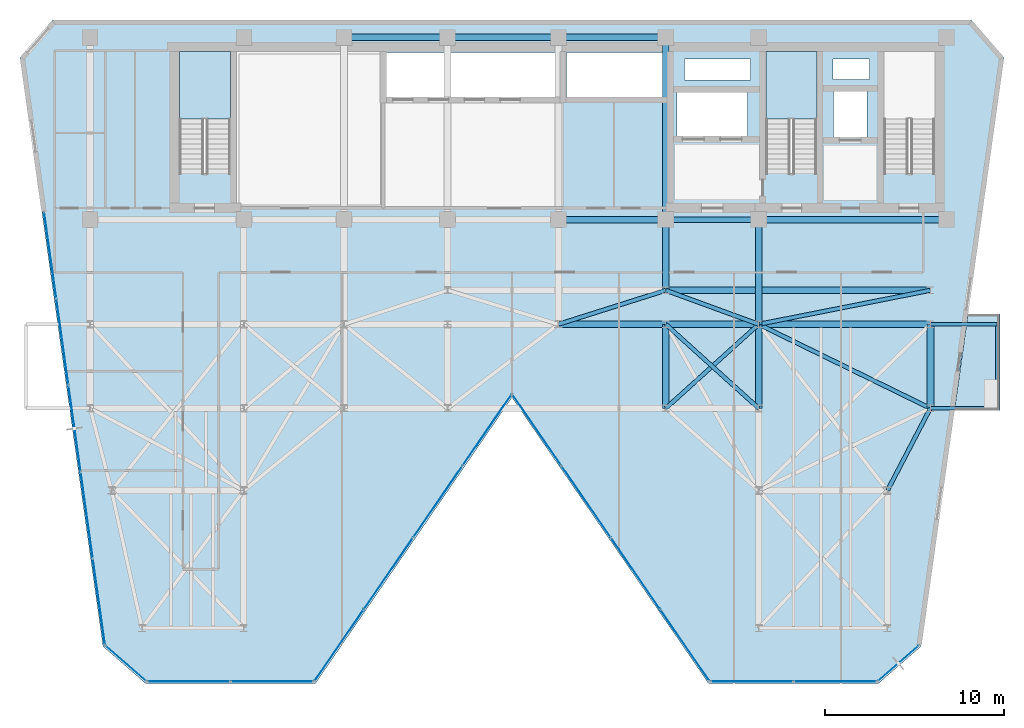
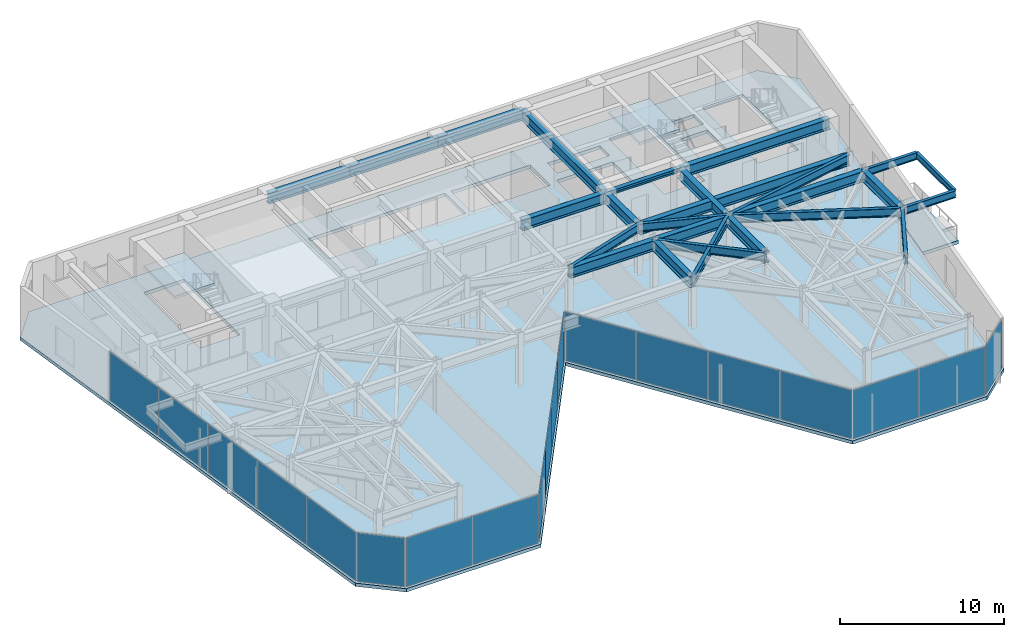
# One storey, part 21 of 26: 26 beams, 19 plates, 4 slabs, 9 elements without a shape of their own.
"""IFC4 building model written with IfcOpenShell, lengths in metres."""

from ifc_helpers import new_model, si_unit, direction, frame, origin, origin_2d, place, context, subcontext, project, spatial, polyline, rectangle, i_section, outline, extrude, material, layer, layer_set, material_profile, profile_set, type_object, element, aggregate, save


model = new_model("IFC4")

# Units and contexts
model_context = context("Model", 3, precision=1e-05, world=origin(), true_north=direction((0.0, 1.0)))
body_context = subcontext(model_context, "Body", "Model", "MODEL_VIEW")
ifc_project = project(units=[si_unit("LENGTHUNIT", "METRE"), si_unit("AREAUNIT", "SQUARE_METRE"), si_unit("VOLUMEUNIT", "CUBIC_METRE"), si_unit("PLANEANGLEUNIT", "RADIAN"), si_unit("MASSUNIT", "GRAM", prefix="KILO")], contexts=[model_context])

# Site, building, storey
site_placement = place(None, origin())
site = spatial("IfcSite", under=ifc_project, at=site_placement, CompositionType="ELEMENT")
building_placement = place(site_placement, origin())
building = spatial("IfcBuilding", under=site, at=building_placement, Name="Kravanh Interchange Tower", CompositionType="ELEMENT")
storey_placement = place(building_placement, frame((0.0, 0.0, 212.5)))
storey = spatial("IfcBuildingStorey", under=building, at=storey_placement, Name="L51", CompositionType="ELEMENT", Elevation=212.5)

# Beams
ifc_material_1 = material(Name="Structural Steel S355", Category="steel")
ifc_material_profile_1 = material_profile(ifc_material_1, i_section(OverallWidth=0.381103515625, OverallDepth=0.77294921875, WebThickness=0.0166015625, FlangeThickness=0.027099609375, FilletRadius=0.02490234375, at=origin_2d()), Name="W30X173")
ifc_profile_set_1 = profile_set([ifc_material_profile_1], Name="Structural Steel S355")
beam_type_1 = type_object("IfcBeamType", Name="Floor Beam W30X173 Structural Steel S355", PredefinedType="BEAM", material=ifc_profile_set_1)
beam_1_placement = place(storey_placement, frame((66.5, 37.35009765625, 3.368408203125), z_axis=(-1.0, 0.0, 0.0), x_axis=(0.0, -1.0, 0.0)))
element("IfcBeam", 1, at=beam_1_placement, inside=storey, type_object=beam_type_1, Name="L51 Primary Floor Girder 5", PredefinedType="BEAM", context=body_context, shape_type="SweptSolid", body=[
    extrude(i_section(OverallWidth=0.381103515625, OverallDepth=0.77294921875, WebThickness=0.0166015625, FlangeThickness=0.027099609375, FilletRadius=0.02490234375, at=origin_2d()), origin(), (0.0, 0.0, 1.0), 10.5),
])
beam_2_placement = place(storey_placement, frame((56.0, 37.35009765625, 3.368408203125), z_axis=(0.0, -1.0, 0.0), x_axis=(1.0, 0.0, 0.0)))
element("IfcBeam", 2, at=beam_2_placement, inside=storey, type_object=beam_type_1, Name="L51 Primary Floor Girder 7", PredefinedType="BEAM", context=body_context, shape_type="SweptSolid", body=[
    extrude(i_section(OverallWidth=0.381103515625, OverallDepth=0.77294921875, WebThickness=0.0166015625, FlangeThickness=0.027099609375, FilletRadius=0.02490234375, at=origin_2d()), origin(), (0.0, 0.0, 1.0), 5.85009765625),
])
beam_3_placement = place(storey_placement, frame((50.800048828125, 47.550048828125, 3.368408203125), z_axis=(-1.0, 0.0, 0.0), x_axis=(0.0, -1.0, 0.0)))
element("IfcBeam", 3, at=beam_3_placement, inside=storey, type_object=beam_type_1, Name="L51 Primary Floor Girder 8", PredefinedType="BEAM", context=body_context, shape_type="SweptSolid", body=[
    extrude(i_section(OverallWidth=0.381103515625, OverallDepth=0.77294921875, WebThickness=0.0166015625, FlangeThickness=0.027099609375, FilletRadius=0.02490234375, at=origin_2d()), origin(), (0.0, 0.0, 1.0), 6.0),
])
beam_4_placement = place(storey_placement, frame((50.800048828125, 47.550048828125, 3.368408203125), z_axis=(0.0, -1.0, 0.0), x_axis=(1.0, 0.0, 0.0)))
element("IfcBeam", 4, at=beam_4_placement, inside=storey, type_object=beam_type_1, Name="L51 Primary Floor Girder 9", PredefinedType="BEAM", context=body_context, shape_type="SweptSolid", body=[
    extrude(i_section(OverallWidth=0.381103515625, OverallDepth=0.77294921875, WebThickness=0.0166015625, FlangeThickness=0.027099609375, FilletRadius=0.02490234375, at=origin_2d()), origin(), (0.0, 0.0, 1.0), 10.199951171875),
])
beam_5_placement = place(storey_placement, frame((50.800048828125, 37.35009765625, 3.368408203125), z_axis=(0.0, -1.0, 0.0), x_axis=(1.0, 0.0, 0.0)))
element("IfcBeam", 5, at=beam_5_placement, inside=storey, type_object=beam_type_1, Name="L51 Primary Floor Girder 10", PredefinedType="BEAM", context=body_context, shape_type="SweptSolid", body=[
    extrude(i_section(OverallWidth=0.381103515625, OverallDepth=0.77294921875, WebThickness=0.0166015625, FlangeThickness=0.027099609375, FilletRadius=0.02490234375, at=origin_2d()), origin(), (0.0, 0.0, 1.0), 3.9501953125),
])
beam_6_placement = place(storey_placement, frame((50.800048828125, 37.35009765625, 3.368408203125), z_axis=(-1.0, 0.0, 0.0), x_axis=(0.0, -1.0, 0.0)))
element("IfcBeam", 6, at=beam_6_placement, inside=storey, type_object=beam_type_1, Name="L51 Primary Floor Girder 11", PredefinedType="BEAM", context=body_context, shape_type="SweptSolid", body=[
    extrude(i_section(OverallWidth=0.381103515625, OverallDepth=0.77294921875, WebThickness=0.0166015625, FlangeThickness=0.027099609375, FilletRadius=0.02490234375, at=origin_2d()), origin(), (0.0, 0.0, 1.0), 6.0),
])
beam_7_placement = place(storey_placement, frame((44.800048828125, 47.550048828125, 3.368408203125), z_axis=(-1.0, 0.0, 0.0), x_axis=(0.0, -1.0, 0.0)))
element("IfcBeam", 7, at=beam_7_placement, inside=storey, type_object=beam_type_1, Name="L51 Primary Floor Girder 15", PredefinedType="BEAM", context=body_context, shape_type="SweptSolid", body=[
    extrude(i_section(OverallWidth=0.381103515625, OverallDepth=0.77294921875, WebThickness=0.0166015625, FlangeThickness=0.027099609375, FilletRadius=0.02490234375, at=origin_2d()), origin(), (0.0, 0.0, 1.0), 6.199951171875),
])
beam_8_placement = place(storey_placement, frame((38.60009765625, 47.550048828125, 3.368408203125), z_axis=(-1.0, 0.0, 0.0), x_axis=(0.0, -1.0, 0.0)))
element("IfcBeam", 8, at=beam_8_placement, inside=storey, type_object=beam_type_1, Name="L51 Primary Floor Girder 19", PredefinedType="BEAM", context=body_context, shape_type="SweptSolid", body=[
    extrude(i_section(OverallWidth=0.381103515625, OverallDepth=0.77294921875, WebThickness=0.0166015625, FlangeThickness=0.027099609375, FilletRadius=0.02490234375, at=origin_2d()), origin(), (0.0, 0.0, 1.0), 5.800048828125),
])
for number, where, z_axis, x_axis, name in (
    (9, (50.800048828125, 26.800048828125, 3.368408203125), (0.0, 1.0, 0.0), (-1.0, 0.0, 0.0), "L51 Primary Floor Girder 49"),
    (10, (56.0, 26.800048828125, 3.368408203125), (0.0, 1.0, 0.0), (-1.0, 0.0, 0.0), "L51 Primary Floor Girder 54"),
    (11, (65.60009765625, 26.800048828125, 3.368408203125), (0.0, 1.0, 0.0), (-1.0, 0.0, 0.0), "L51 Primary Floor Girder 57"),
):
    element("IfcBeam", number, at=place(storey_placement, frame(where, z_axis=z_axis, x_axis=x_axis)), inside=storey, type_object=beam_type_1, Name=name, PredefinedType="BEAM", context=body_context, shape_type="SweptSolid", body=[
        extrude(i_section(OverallWidth=0.381103515625, OverallDepth=0.77294921875, WebThickness=0.0166015625, FlangeThickness=0.027099609375, FilletRadius=0.02490234375, at=origin_2d()), origin(), (0.0, 0.0, 1.0), 4.699951171875),
    ])
beam_9_placement = place(storey_placement, frame((44.800048828125, 31.5, 3.368408203125), z_axis=(1.0, 0.0, 0.0), x_axis=(0.0, 1.0, 0.0)))
element("IfcBeam", 12, at=beam_9_placement, inside=storey, type_object=beam_type_1, Name="L51 Primary Floor Girder 74", PredefinedType="BEAM", context=body_context, shape_type="SweptSolid", body=[
    extrude(i_section(OverallWidth=0.381103515625, OverallDepth=0.77294921875, WebThickness=0.0166015625, FlangeThickness=0.027099609375, FilletRadius=0.02490234375, at=origin_2d()), origin(), (0.0, 0.0, 1.0), 6.0),
])
beam_10_placement = place(storey_placement, frame((50.800048828125, 31.5, 3.368408203125), z_axis=(1.0, 0.0, 0.0), x_axis=(0.0, 1.0, 0.0)))
element("IfcBeam", 13, at=beam_10_placement, inside=storey, type_object=beam_type_1, Name="L51 Primary Floor Girder 77", PredefinedType="BEAM", context=body_context, shape_type="SweptSolid", body=[
    extrude(i_section(OverallWidth=0.381103515625, OverallDepth=0.77294921875, WebThickness=0.0166015625, FlangeThickness=0.027099609375, FilletRadius=0.02490234375, at=origin_2d()), origin(), (0.0, 0.0, 1.0), 5.199951171875),
])
beam_11_placement = place(storey_placement, frame((56.0, 31.5, 3.368408203125), z_axis=(1.0, 0.0, 0.0), x_axis=(0.0, 1.0, 0.0)))
element("IfcBeam", 14, at=beam_11_placement, inside=storey, type_object=beam_type_1, Name="L51 Primary Floor Girder 81", PredefinedType="BEAM", context=body_context, shape_type="SweptSolid", body=[
    extrude(i_section(OverallWidth=0.381103515625, OverallDepth=0.77294921875, WebThickness=0.0166015625, FlangeThickness=0.027099609375, FilletRadius=0.02490234375, at=origin_2d()), origin(), (0.0, 0.0, 1.0), 9.60009765625),
])
beam_12_placement = place(storey_placement, frame((50.800048828125, 33.39990234375, 3.368408203125), z_axis=(1.0, 0.0, 0.0), x_axis=(0.0, 1.0, 0.0)))
element("IfcBeam", 15, at=beam_12_placement, inside=storey, type_object=beam_type_1, Name="L51 Primary Floor Girder 95", PredefinedType="BEAM", context=body_context, shape_type="SweptSolid", body=[
    extrude(i_section(OverallWidth=0.381103515625, OverallDepth=0.77294921875, WebThickness=0.0166015625, FlangeThickness=0.027099609375, FilletRadius=0.02490234375, at=origin_2d()), origin(), (0.0, 0.0, 1.0), 14.800048828125),
])
ifc_material_2 = material(Name="Structural Steel S355", Category="steel")
ifc_material_profile_2 = material_profile(ifc_material_2, i_section(OverallWidth=0.18994140625, OverallDepth=0.45703125, WebThickness=0.009033203125, FlangeThickness=0.014404296875, FilletRadius=0.01806640625, at=origin_2d()), Name="W18X50")
ifc_profile_set_2 = profile_set([ifc_material_profile_2], Name="Structural Steel S355")
beam_type_2 = type_object("IfcBeamType", Name="Floor Joist W18X50 Structural Steel S355", PredefinedType="JOIST", material=ifc_profile_set_2)
beam_13_placement = place(storey_placement, frame((69.330078125, 26.800048828125, 3.526611328125), z_axis=(0.0, 1.0, 0.0), x_axis=(-1.0, 0.0, 0.0)))
element("IfcBeam", 16, at=beam_13_placement, inside=storey, type_object=beam_type_2, Name="L51 Balcony Edge Tie Beam E", PredefinedType="JOIST", context=body_context, shape_type="SweptSolid", body=[
    extrude(i_section(OverallWidth=0.18994140625, OverallDepth=0.45703125, WebThickness=0.009033203125, FlangeThickness=0.014404296875, FilletRadius=0.01806640625, at=origin_2d()), origin(), (0.0, 0.0, 1.0), 4.699951171875),
])
ifc_material_3 = material(Name="Structural Steel S355", Category="steel")
ifc_material_profile_3 = material_profile(ifc_material_3, i_section(OverallWidth=0.304931640625, OverallDepth=0.306884765625, WebThickness=0.010009765625, FlangeThickness=0.015380859375, FilletRadius=0.014892578125, at=origin_2d()), Name="W12X65")
ifc_profile_set_3 = profile_set([ifc_material_profile_3], Name="Structural Steel S355")
beam_type_3 = type_object("IfcBeamType", Name="Floor Lintel W12X65 Structural Steel S355", PredefinedType="LINTEL", material=ifc_profile_set_3)
beam_14_placement = place(storey_placement, frame((50.800048828125, 37.35009765625, 3.6015625), z_axis=(1.0, 0.0, 0.0), x_axis=(0.0, 1.0, 0.0)))
element("IfcBeam", 17, at=beam_14_placement, inside=storey, type_object=beam_type_3, Name="L51 Core Coupling Lintel 1", PredefinedType="LINTEL", context=body_context, shape_type="SweptSolid", body=[
    extrude(i_section(OverallWidth=0.304931640625, OverallDepth=0.306884765625, WebThickness=0.010009765625, FlangeThickness=0.015380859375, FilletRadius=0.014892578125, at=origin_2d()), origin(), (0.0, 0.0, 1.0), 5.199951171875),
])
ifc_material_4 = material(Name="Structural Steel S355", Category="steel")
ifc_material_profile_4 = material_profile(ifc_material_4, i_section(OverallWidth=0.2099609375, OverallDepth=0.537109375, WebThickness=0.010986328125, FlangeThickness=0.017333984375, FilletRadius=0.02001953125, at=origin_2d()), Name="W21X68")
ifc_profile_set_4 = profile_set([ifc_material_profile_4], Name="Structural Steel S355")
beam_type_4 = type_object("IfcBeamType", Name="Floor Spandrel W21X68 Structural Steel S355", PredefinedType="SPANDREL", material=ifc_profile_set_4)
for number, where, z_axis, x_axis, name in (
    (18, (65.60009765625, 26.800048828125, 3.486572265625), (1.0, 0.0, 0.0), (0.0, 1.0, 0.0), "L51 Balcony Cantilever Outrigger E1"),
    (19, (65.60009765625, 31.5, 3.486572265625), (1.0, 0.0, 0.0), (0.0, 1.0, 0.0), "L51 Balcony Cantilever Outrigger E2"),
):
    element("IfcBeam", number, at=place(storey_placement, frame(where, z_axis=z_axis, x_axis=x_axis)), inside=storey, type_object=beam_type_4, Name=name, PredefinedType="SPANDREL", context=body_context, shape_type="SweptSolid", body=[
        extrude(i_section(OverallWidth=0.2099609375, OverallDepth=0.537109375, WebThickness=0.010986328125, FlangeThickness=0.017333984375, FilletRadius=0.02001953125, at=origin_2d()), origin(), (0.0, 0.0, 1.0), 3.72998046875),
    ])
ifc_material_5 = material(Name="Structural Steel S355", Category="steel")
ifc_material_profile_5 = material_profile(ifc_material_5, i_section(OverallWidth=0.22802734375, OverallDepth=0.60791015625, WebThickness=0.01123046875, FlangeThickness=0.017333984375, FilletRadius=0.02197265625, at=origin_2d()), Name="W24X76")
ifc_profile_set_5 = profile_set([ifc_material_profile_5], Name="Structural Steel S355")
beam_type_5 = type_object("IfcBeamType", Name="Floor Spandrel W24X76 Structural Steel S355", PredefinedType="SPANDREL", material=ifc_profile_set_5)
for number, where, z_axis, x_axis, name in (
    (20, (50.800048828125, 26.800048828125, 3.450927734375), (0.741874009795, 0.670539300557, 0.0), (-0.670539300557, 0.741874009795, 0.0), "L51 Perimeter Spandrel 52"),
    (21, (56.0, 26.800048828125, 3.450927734375), (-0.741874009795, 0.670539300557, 0.0), (-0.670539300557, -0.741874009795, 0.0), "L51 Perimeter Spandrel 55"),
):
    element("IfcBeam", number, at=place(storey_placement, frame(where, z_axis=z_axis, x_axis=x_axis)), inside=storey, type_object=beam_type_5, Name=name, PredefinedType="SPANDREL", context=body_context, shape_type="SweptSolid", body=[
        extrude(i_section(OverallWidth=0.22802734375, OverallDepth=0.60791015625, WebThickness=0.01123046875, FlangeThickness=0.017333984375, FilletRadius=0.02197265625, at=origin_2d()), origin(), (0.0, 0.0, 1.0), 7.00927734375),
    ])
beam_15_placement = place(storey_placement, frame((65.60009765625, 26.800048828125, 3.450927734375), z_axis=(-0.462580479178, -0.886577295155, 0.0), x_axis=(0.886577295155, -0.462580479178, 0.0)))
element("IfcBeam", 22, at=beam_15_placement, inside=storey, type_object=beam_type_5, Name="L51 Perimeter Spandrel 58", PredefinedType="SPANDREL", context=body_context, shape_type="SweptSolid", body=[
    extrude(i_section(OverallWidth=0.22802734375, OverallDepth=0.60791015625, WebThickness=0.01123046875, FlangeThickness=0.017333984375, FilletRadius=0.02197265625, at=origin_2d()), origin(), (0.0, 0.0, 1.0), 5.188720703125),
])
beam_16_placement = place(storey_placement, frame((65.60009765625, 26.800048828125, 3.450927734375), z_axis=(-0.898141688387, 0.439706160499, 0.0), x_axis=(-0.439706160499, -0.898141688387, 0.0)))
element("IfcBeam", 23, at=beam_16_placement, inside=storey, type_object=beam_type_5, Name="L51 Perimeter Spandrel 60", PredefinedType="SPANDREL", context=body_context, shape_type="SweptSolid", body=[
    extrude(i_section(OverallWidth=0.22802734375, OverallDepth=0.60791015625, WebThickness=0.01123046875, FlangeThickness=0.017333984375, FilletRadius=0.02197265625, at=origin_2d()), origin(), (0.0, 0.0, 1.0), 10.68896484375),
])
beam_17_placement = place(storey_placement, frame((44.800048828125, 31.5, 3.450927734375), z_axis=(0.953346691051, 0.301877602122, 0.0), x_axis=(-0.301877602122, 0.953346691051, 0.0)))
element("IfcBeam", 24, at=beam_17_placement, inside=storey, type_object=beam_type_5, Name="L51 Perimeter Spandrel 75", PredefinedType="SPANDREL", context=body_context, shape_type="SweptSolid", body=[
    extrude(i_section(OverallWidth=0.22802734375, OverallDepth=0.60791015625, WebThickness=0.01123046875, FlangeThickness=0.017333984375, FilletRadius=0.02197265625, at=origin_2d()), origin(), (0.0, 0.0, 1.0), 6.293701171875),
])
beam_18_placement = place(storey_placement, frame((56.0, 31.5, 3.450927734375), z_axis=(-0.93926957103, 0.343180233896, 0.0), x_axis=(-0.343180233896, -0.93926957103, 0.0)))
element("IfcBeam", 25, at=beam_18_placement, inside=storey, type_object=beam_type_5, Name="L51 Perimeter Spandrel 80", PredefinedType="SPANDREL", context=body_context, shape_type="SweptSolid", body=[
    extrude(i_section(OverallWidth=0.22802734375, OverallDepth=0.60791015625, WebThickness=0.01123046875, FlangeThickness=0.017333984375, FilletRadius=0.02197265625, at=origin_2d()), origin(), (0.0, 0.0, 1.0), 5.5361328125),
])
beam_19_placement = place(storey_placement, frame((56.0, 31.5, 3.450927734375), z_axis=(0.980974000807, 0.194139150457, 0.0), x_axis=(-0.194139150457, 0.980974000807, 0.0)))
element("IfcBeam", 26, at=beam_19_placement, inside=storey, type_object=beam_type_5, Name="L51 Perimeter Spandrel 82", PredefinedType="SPANDREL", context=body_context, shape_type="SweptSolid", body=[
    extrude(i_section(OverallWidth=0.22802734375, OverallDepth=0.60791015625, WebThickness=0.01123046875, FlangeThickness=0.017333984375, FilletRadius=0.02197265625, at=origin_2d()), origin(), (0.0, 0.0, 1.0), 9.786376953125),
])

# Slab
ifc_material_6 = material(Name="Concrete C50/60", Category="concrete")
ifc_layer_1 = layer(ifc_material_6, 0.2451171875)
ifc_layer_set_1 = layer_set([ifc_layer_1], Name="Composite Floor Slab Concrete C50/60 245mm")
slab_type_1 = type_object("IfcSlabType", Name="Composite Floor Slab Concrete C50/60 245mm", PredefinedType="FLOOR", material=ifc_layer_set_1)
slab_1_placement = place(storey_placement, frame((0.0, 0.0, -0.2451171875)))
element("IfcSlab", 27, at=slab_1_placement, inside=storey, type_object=slab_type_1, Name="L51 Structural Floor Slab", PredefinedType="FLOOR", context=body_context, shape_type="SweptSolid", body=[
    extrude(outline(polyline([(19.32177734375, 13.4794921875), (21.714111328125, 11.39990234375), (31.199951171875, 11.39990234375), (42.199951171875, 27.39990234375), (53.199951171875, 11.39990234375), (62.685791015625, 11.39990234375), (65.078125, 13.4794921875), (69.707763671875, 46.42041015625), (67.89990234375, 48.5), (16.5, 48.5), (14.6923828125, 46.42041015625), (19.32177734375, 13.4794921875)]), holes=[polyline([(65.85009765625, 39.925048828125), (65.85009765625, 46.75), (63.0, 46.75), (63.0, 39.925048828125), (65.85009765625, 39.925048828125)]), polyline([(59.25, 39.925048828125), (59.25, 46.75), (56.39990234375, 46.75), (56.39990234375, 39.925048828125), (59.25, 39.925048828125)]), polyline([(26.449951171875, 39.925048828125), (26.449951171875, 46.75), (23.60009765625, 46.75), (23.60009765625, 39.925048828125), (26.449951171875, 39.925048828125)]), polyline([(35.179931640625, 44.219970703125), (44.840087890625, 44.219970703125), (44.840087890625, 46.699951171875), (35.179931640625, 46.699951171875), (35.179931640625, 44.219970703125)]), polyline([(45.239990234375, 44.219970703125), (50.840087890625, 44.219970703125), (50.840087890625, 46.699951171875), (45.239990234375, 46.699951171875), (45.239990234375, 44.219970703125)]), polyline([(51.419921875, 42.02001953125), (55.3798828125, 42.02001953125), (55.3798828125, 44.47998046875), (51.419921875, 44.47998046875), (51.419921875, 42.02001953125)]), polyline([(60.179931640625, 41.97998046875), (62.06005859375, 41.97998046875), (62.06005859375, 44.52001953125), (60.179931640625, 44.52001953125), (60.179931640625, 41.97998046875)]), polyline([(60.14990234375, 45.199951171875), (62.199951171875, 45.199951171875), (62.199951171875, 46.35009765625), (60.14990234375, 46.35009765625), (60.14990234375, 45.199951171875)]), polyline([(51.85009765625, 45.14990234375), (55.550048828125, 45.14990234375), (55.550048828125, 46.35009765625), (51.85009765625, 46.35009765625), (51.85009765625, 45.14990234375)])]), origin(), (0.0, 0.0, 1.0), 0.2451171875),
])

# Stair, slab
ifc_material_7 = material(Name="Concrete C50/60", Category="concrete")
stair_type = type_object("IfcStairType", Name="Core Fire Exit Dogleg Stair Concrete C50/60", PredefinedType="HALF_TURN_STAIR", material=ifc_material_7)
stair_1_placement = place(storey_placement, origin())
stair_1 = element("IfcStair", 28, at=stair_1_placement, inside=storey, type_object=stair_type, Name="L51 Exit Stair ST2", PredefinedType="HALF_TURN_STAIR")
ifc_material_8 = material(Name="Concrete C50/60", Category="concrete")
ifc_layer_2 = layer(ifc_material_8, 0.199951171875)
ifc_layer_set_2 = layer_set([ifc_layer_2], Name="Concrete C50/60 Stair Half-Landing Slab 200mm")
slab_type_2 = type_object("IfcSlabType", Name="Concrete C50/60 Stair Half-Landing Slab 200mm", PredefinedType="LANDING", material=ifc_layer_set_2)
slab_2_placement = place(storey_placement, frame((0.0, 0.0, 1.800048828125)))
slab_2 = element("IfcSlab", 29, at=slab_2_placement, type_object=slab_type_2, Name="ST2 landing 1", PredefinedType="LANDING", context=body_context, shape_type="SweptSolid", body=[
    extrude(outline(polyline([(59.25, 42.97998046875), (59.25, 46.75), (56.39990234375, 46.75), (56.39990234375, 42.97998046875), (59.25, 42.97998046875)])), origin(), (0.0, 0.0, 1.0), 0.199951171875),
])
aggregate(stair_1, [slab_2])

stair_2_placement = place(storey_placement, origin())
stair_2 = element("IfcStair", 30, at=stair_2_placement, inside=storey, type_object=stair_type, Name="L51 Exit Stair ST3", PredefinedType="HALF_TURN_STAIR")
slab_3_placement = place(storey_placement, frame((0.0, 0.0, 1.800048828125)))
slab_3 = element("IfcSlab", 31, at=slab_3_placement, type_object=slab_type_2, Name="ST3 landing 1", PredefinedType="LANDING", context=body_context, shape_type="SweptSolid", body=[
    extrude(outline(polyline([(26.449951171875, 42.97998046875), (26.449951171875, 46.75), (23.60009765625, 46.75), (23.60009765625, 42.97998046875), (26.449951171875, 42.97998046875)])), origin(), (0.0, 0.0, 1.0), 0.199951171875),
])
aggregate(stair_2, [slab_3])

# Curtain wall, plates
ifc_material_9 = material(Name="Anodised Bronze Aluminium", Category="aluminium")
ifc_layer_3 = layer(ifc_material_9, 0.179931640625)
ifc_layer_set_3 = layer_set([ifc_layer_3], Name="Unitised Curtain Wall System CW-Z3 Upper Office")
curtain_wall_type = type_object("IfcCurtainWallType", Name="Unitised Curtain Wall System CW-Z3 Upper Office", PredefinedType="NOTDEFINED", material=ifc_layer_set_3)
curtain_wall_1_placement = place(storey_placement, origin())
curtain_wall_1 = element("IfcCurtainWall", 32, at=curtain_wall_1_placement, inside=storey, type_object=curtain_wall_type, Name="L51 Unitised Curtain Wall CW-L51-01", PredefinedType="NOTDEFINED")
ifc_material_10 = material(Name="Low-E Laminated Architectural Glass", Category="glass")
ifc_layer_4 = layer(ifc_material_10, 0.02392578125)
ifc_layer_set_4 = layer_set([ifc_layer_4], Name="High-Selectivity Double Glazing 24mm")
plate_type = type_object("IfcPlateType", Name="High-Selectivity Double Glazing 24mm", PredefinedType="CURTAIN_PANEL", material=ifc_layer_set_4)
plate_1_placement = place(storey_placement, frame((19.09130859375, 15.9814453125, 0.06005859375), z_axis=(0.0, 0.0, 1.0), x_axis=(-0.139172209446, 0.990268194035, 0.0)))
plate_1 = element("IfcPlate", 33, at=plate_1_placement, type_object=plate_type, Name="CW-Z3 panel 1.1", PredefinedType="CURTAIN_PANEL", context=body_context, shape_type="SweptSolid", body=[
    extrude(rectangle(XDim=4.8095703125, YDim=0.02392578125, at=origin_2d()), origin(), (0.0, 0.0, 1.0), 3.635009765625),
])
plate_2_placement = place(storey_placement, frame((18.41162109375, 20.818603515625, 0.06005859375), z_axis=(0.0, 0.0, 1.0), x_axis=(-0.139172209446, 0.990268194035, 0.0)))
plate_2 = element("IfcPlate", 34, at=plate_2_placement, type_object=plate_type, Name="CW-Z3 panel 2.1", PredefinedType="CURTAIN_PANEL", context=body_context, shape_type="SweptSolid", body=[
    extrude(rectangle(XDim=4.839599609375, YDim=0.02392578125, at=origin_2d()), origin(), (0.0, 0.0, 1.0), 3.635009765625),
])
plate_3_placement = place(storey_placement, frame((17.729736328125, 25.67041015625, 0.06005859375), z_axis=(0.0, 0.0, 1.0), x_axis=(-0.139172209446, 0.990268194035, 0.0)))
plate_3 = element("IfcPlate", 35, at=plate_3_placement, type_object=plate_type, Name="CW-Z3 panel 3.1", PredefinedType="CURTAIN_PANEL", context=body_context, shape_type="SweptSolid", body=[
    extrude(rectangle(XDim=4.839599609375, YDim=0.02392578125, at=origin_2d()), origin(), (0.0, 0.0, 1.0), 3.635009765625),
])
plate_4_placement = place(storey_placement, frame((17.0478515625, 30.522216796875, 0.06005859375), z_axis=(0.0, 0.0, 1.0), x_axis=(-0.139172209446, 0.990268194035, 0.0)))
plate_4 = element("IfcPlate", 36, at=plate_4_placement, type_object=plate_type, Name="CW-Z3 panel 4.1", PredefinedType="CURTAIN_PANEL", context=body_context, shape_type="SweptSolid", body=[
    extrude(rectangle(XDim=4.839599609375, YDim=0.02392578125, at=origin_2d()), origin(), (0.0, 0.0, 1.0), 3.635009765625),
])
plate_5_placement = place(storey_placement, frame((16.367919921875, 35.359130859375, 0.06005859375), z_axis=(0.0, 0.0, 1.0), x_axis=(-0.139172209446, 0.990268194035, 0.0)))
plate_5 = element("IfcPlate", 37, at=plate_5_placement, type_object=plate_type, Name="CW-Z3 panel 5.1", PredefinedType="CURTAIN_PANEL", context=body_context, shape_type="SweptSolid", body=[
    extrude(rectangle(XDim=4.8095703125, YDim=0.02392578125, at=origin_2d()), origin(), (0.0, 0.0, 1.0), 3.635009765625),
])
aggregate(curtain_wall_1, [plate_1, plate_2, plate_3, plate_4, plate_5])

# Curtain wall, plate
curtain_wall_2_placement = place(storey_placement, origin())
curtain_wall_2 = element("IfcCurtainWall", 38, at=curtain_wall_2_placement, inside=storey, type_object=curtain_wall_type, Name="L51 Unitised Curtain Wall CW-L51-02", PredefinedType="NOTDEFINED")
plate_6_placement = place(storey_placement, frame((63.80322265625, 12.5302734375, 0.06005859375), z_axis=(0.0, 0.0, 1.0), x_axis=(-0.754716645379, -0.65605090137, 0.0)))
plate_6 = element("IfcPlate", 39, at=plate_6_placement, type_object=plate_type, Name="CW-Z3 panel 1.1", PredefinedType="CURTAIN_PANEL", context=body_context, shape_type="SweptSolid", body=[
    extrude(rectangle(XDim=2.960205078125, YDim=0.02392578125, at=origin_2d()), origin(), (0.0, 0.0, 1.0), 3.635009765625),
])
aggregate(curtain_wall_2, [plate_6])

# Curtain wall, plates
curtain_wall_3_placement = place(storey_placement, origin())
curtain_wall_3 = element("IfcCurtainWall", 40, at=curtain_wall_3_placement, inside=storey, type_object=curtain_wall_type, Name="L51 Unitised Curtain Wall CW-L51-03", PredefinedType="NOTDEFINED")
plate_7_placement = place(storey_placement, frame((60.281494140625, 11.52001953125, 0.06005859375), z_axis=(0.0, 0.0, 1.0), x_axis=(-1.0, 0.0, 0.0)))
plate_7 = element("IfcPlate", 41, at=plate_7_placement, type_object=plate_type, Name="CW-Z3 panel 1.1", PredefinedType="CURTAIN_PANEL", context=body_context, shape_type="SweptSolid", body=[
    extrude(rectangle(XDim=4.598876953125, YDim=0.02392578125, at=origin_2d()), origin(), (0.0, 0.0, 1.0), 3.635009765625),
])
plate_8_placement = place(storey_placement, frame((55.62255859375, 11.52001953125, 0.06005859375), z_axis=(0.0, 0.0, 1.0), x_axis=(-1.0, 0.0, 0.0)))
plate_8 = element("IfcPlate", 42, at=plate_8_placement, type_object=plate_type, Name="CW-Z3 panel 2.1", PredefinedType="CURTAIN_PANEL", context=body_context, shape_type="SweptSolid", body=[
    extrude(rectangle(XDim=4.598876953125, YDim=0.02392578125, at=origin_2d()), origin(), (0.0, 0.0, 1.0), 3.635009765625),
])
aggregate(curtain_wall_3, [plate_7, plate_8])

curtain_wall_4_placement = place(storey_placement, origin())
curtain_wall_4 = element("IfcCurtainWall", 43, at=curtain_wall_4_placement, inside=storey, type_object=curtain_wall_type, Name="L51 Unitised Curtain Wall CW-L51-04", PredefinedType="NOTDEFINED")
plate_9_placement = place(storey_placement, frame((51.871826171875, 13.5439453125, 0.06005859375), z_axis=(0.0, 0.0, 1.0), x_axis=(-0.566528388217, 0.824042223035, 0.0)))
plate_9 = element("IfcPlate", 44, at=plate_9_placement, type_object=plate_type, Name="CW-Z3 panel 1.1", PredefinedType="CURTAIN_PANEL", context=body_context, shape_type="SweptSolid", body=[
    extrude(rectangle(XDim=4.7919921875, YDim=0.02392578125, at=origin_2d()), origin(), (0.0, 0.0, 1.0), 3.635009765625),
])
plate_10_placement = place(storey_placement, frame((49.114501953125, 17.554443359375, 0.06005859375), z_axis=(0.0, 0.0, 1.0), x_axis=(-0.566528388217, 0.824042223035, 0.0)))
plate_10 = element("IfcPlate", 45, at=plate_10_placement, type_object=plate_type, Name="CW-Z3 panel 2.1", PredefinedType="CURTAIN_PANEL", context=body_context, shape_type="SweptSolid", body=[
    extrude(rectangle(XDim=4.822021484375, YDim=0.02392578125, at=origin_2d()), origin(), (0.0, 0.0, 1.0), 3.635009765625),
])
plate_11_placement = place(storey_placement, frame((46.3486328125, 21.577392578125, 0.06005859375), z_axis=(0.0, 0.0, 1.0), x_axis=(-0.566528388217, 0.824042223035, 0.0)))
plate_11 = element("IfcPlate", 46, at=plate_11_placement, type_object=plate_type, Name="CW-Z3 panel 3.1", PredefinedType="CURTAIN_PANEL", context=body_context, shape_type="SweptSolid", body=[
    extrude(rectangle(XDim=4.822021484375, YDim=0.02392578125, at=origin_2d()), origin(), (0.0, 0.0, 1.0), 3.635009765625),
])
plate_12_placement = place(storey_placement, frame((43.59130859375, 25.587890625, 0.06005859375), z_axis=(0.0, 0.0, 1.0), x_axis=(-0.566528388217, 0.824042223035, 0.0)))
plate_12 = element("IfcPlate", 47, at=plate_12_placement, type_object=plate_type, Name="CW-Z3 panel 4.1", PredefinedType="CURTAIN_PANEL", context=body_context, shape_type="SweptSolid", body=[
    extrude(rectangle(XDim=4.7919921875, YDim=0.02392578125, at=origin_2d()), origin(), (0.0, 0.0, 1.0), 3.635009765625),
])
aggregate(curtain_wall_4, [plate_9, plate_10, plate_11, plate_12])

curtain_wall_5_placement = place(storey_placement, origin())
curtain_wall_5 = element("IfcCurtainWall", 48, at=curtain_wall_5_placement, inside=storey, type_object=curtain_wall_type, Name="L51 Unitised Curtain Wall CW-L51-05", PredefinedType="NOTDEFINED")
plate_13_placement = place(storey_placement, frame((40.80859375, 25.587890625, 0.06005859375), z_axis=(0.0, 0.0, 1.0), x_axis=(-0.566528388217, -0.824042223035, 0.0)))
plate_13 = element("IfcPlate", 49, at=plate_13_placement, type_object=plate_type, Name="CW-Z3 panel 1.1", PredefinedType="CURTAIN_PANEL", context=body_context, shape_type="SweptSolid", body=[
    extrude(rectangle(XDim=4.7919921875, YDim=0.02392578125, at=origin_2d()), origin(), (0.0, 0.0, 1.0), 3.635009765625),
])
plate_14_placement = place(storey_placement, frame((38.05126953125, 21.577392578125, 0.06005859375), z_axis=(0.0, 0.0, 1.0), x_axis=(-0.566528388217, -0.824042223035, 0.0)))
plate_14 = element("IfcPlate", 50, at=plate_14_placement, type_object=plate_type, Name="CW-Z3 panel 2.1", PredefinedType="CURTAIN_PANEL", context=body_context, shape_type="SweptSolid", body=[
    extrude(rectangle(XDim=4.822021484375, YDim=0.02392578125, at=origin_2d()), origin(), (0.0, 0.0, 1.0), 3.635009765625),
])
plate_15_placement = place(storey_placement, frame((35.28564453125, 17.554443359375, 0.06005859375), z_axis=(0.0, 0.0, 1.0), x_axis=(-0.566528388217, -0.824042223035, 0.0)))
plate_15 = element("IfcPlate", 51, at=plate_15_placement, type_object=plate_type, Name="CW-Z3 panel 3.1", PredefinedType="CURTAIN_PANEL", context=body_context, shape_type="SweptSolid", body=[
    extrude(rectangle(XDim=4.822021484375, YDim=0.02392578125, at=origin_2d()), origin(), (0.0, 0.0, 1.0), 3.635009765625),
])
plate_16_placement = place(storey_placement, frame((32.5283203125, 13.5439453125, 0.06005859375), z_axis=(0.0, 0.0, 1.0), x_axis=(-0.566528388217, -0.824042223035, 0.0)))
plate_16 = element("IfcPlate", 52, at=plate_16_placement, type_object=plate_type, Name="CW-Z3 panel 4.1", PredefinedType="CURTAIN_PANEL", context=body_context, shape_type="SweptSolid", body=[
    extrude(rectangle(XDim=4.7919921875, YDim=0.02392578125, at=origin_2d()), origin(), (0.0, 0.0, 1.0), 3.635009765625),
])
aggregate(curtain_wall_5, [plate_13, plate_14, plate_15, plate_16])

curtain_wall_6_placement = place(storey_placement, origin())
curtain_wall_6 = element("IfcCurtainWall", 53, at=curtain_wall_6_placement, inside=storey, type_object=curtain_wall_type, Name="L51 Unitised Curtain Wall CW-L51-06", PredefinedType="NOTDEFINED")
plate_17_placement = place(storey_placement, frame((28.77734375, 11.52001953125, 0.06005859375), z_axis=(0.0, 0.0, 1.0), x_axis=(-1.0, 0.0, 0.0)))
plate_17 = element("IfcPlate", 54, at=plate_17_placement, type_object=plate_type, Name="CW-Z3 panel 1.1", PredefinedType="CURTAIN_PANEL", context=body_context, shape_type="SweptSolid", body=[
    extrude(rectangle(XDim=4.598876953125, YDim=0.02392578125, at=origin_2d()), origin(), (0.0, 0.0, 1.0), 3.635009765625),
])
plate_18_placement = place(storey_placement, frame((24.118408203125, 11.52001953125, 0.06005859375), z_axis=(0.0, 0.0, 1.0), x_axis=(-1.0, 0.0, 0.0)))
plate_18 = element("IfcPlate", 55, at=plate_18_placement, type_object=plate_type, Name="CW-Z3 panel 2.1", PredefinedType="CURTAIN_PANEL", context=body_context, shape_type="SweptSolid", body=[
    extrude(rectangle(XDim=4.598876953125, YDim=0.02392578125, at=origin_2d()), origin(), (0.0, 0.0, 1.0), 3.635009765625),
])
aggregate(curtain_wall_6, [plate_17, plate_18])

# Curtain wall, plate
curtain_wall_7_placement = place(storey_placement, origin())
curtain_wall_7 = element("IfcCurtainWall", 56, at=curtain_wall_7_placement, inside=storey, type_object=curtain_wall_type, Name="L51 Unitised Curtain Wall CW-L51-07", PredefinedType="NOTDEFINED")
plate_19_placement = place(storey_placement, frame((20.5966796875, 12.5302734375, 0.06005859375), z_axis=(0.0, 0.0, 1.0), x_axis=(-0.754716645379, 0.65605090137, 0.0)))
plate_19 = element("IfcPlate", 57, at=plate_19_placement, type_object=plate_type, Name="CW-Z3 panel 1.1", PredefinedType="CURTAIN_PANEL", context=body_context, shape_type="SweptSolid", body=[
    extrude(rectangle(XDim=2.960205078125, YDim=0.02392578125, at=origin_2d()), origin(), (0.0, 0.0, 1.0), 3.635009765625),
])
aggregate(curtain_wall_7, [plate_19])

# Slab
ifc_material_11 = material(Name="Concrete C50/60", Category="concrete")
ifc_layer_5 = layer(ifc_material_11, 0.199951171875)
ifc_layer_set_5 = layer_set([ifc_layer_5], Name="Planted Tree Balcony Slab Concrete C50/60 200mm")
slab_type_3 = type_object("IfcSlabType", Name="Planted Tree Balcony Slab Concrete C50/60 200mm", PredefinedType="USERDEFINED", material=ifc_layer_set_5)
slab_4_placement = place(storey_placement, frame((0.0, 0.0, -0.2451171875)))
element("IfcSlab", 58, at=slab_4_placement, inside=storey, type_object=slab_type_3, Name="L51 East Tree Planter Balcony Slab", ObjectType="BALCONY", PredefinedType="USERDEFINED", context=body_context, shape_type="SweptSolid", body=[
    extrude(outline(polyline([(69.489990234375, 32.070068359375), (69.489990234375, 26.669921875), (66.947021484375, 26.669921875), (67.7060546875, 32.070068359375), (69.489990234375, 32.070068359375)])), origin(), (0.0, 0.0, 1.0), 0.2451171875),
])

save(model, "model.ifc")
